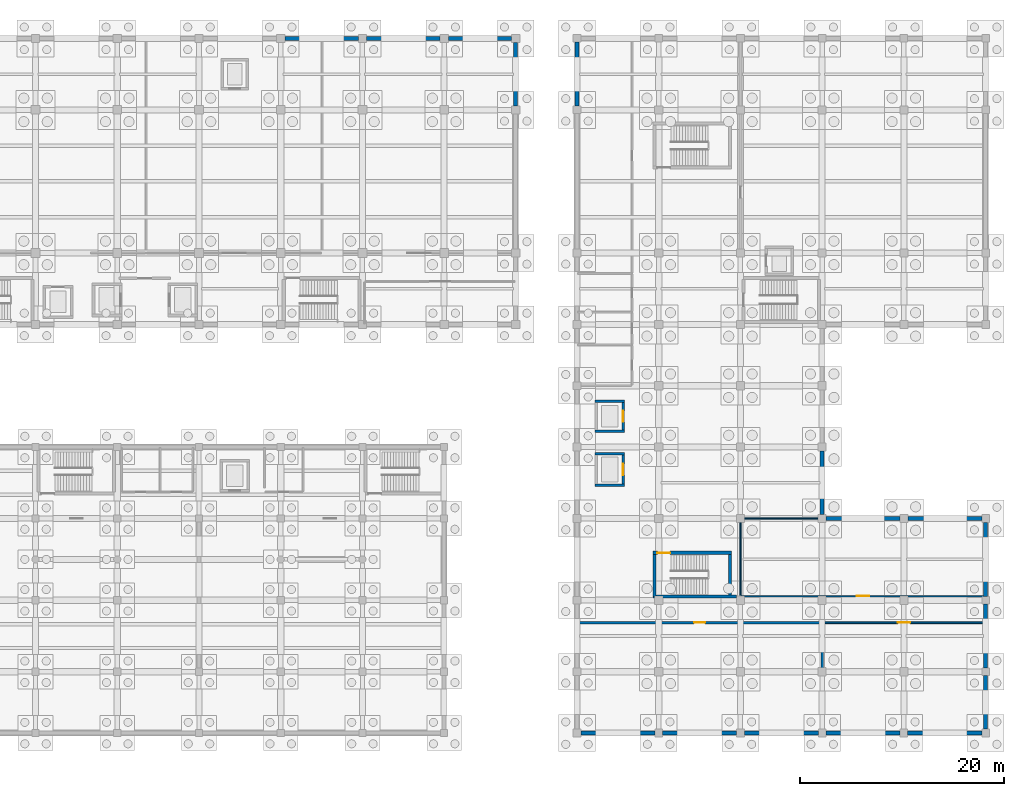
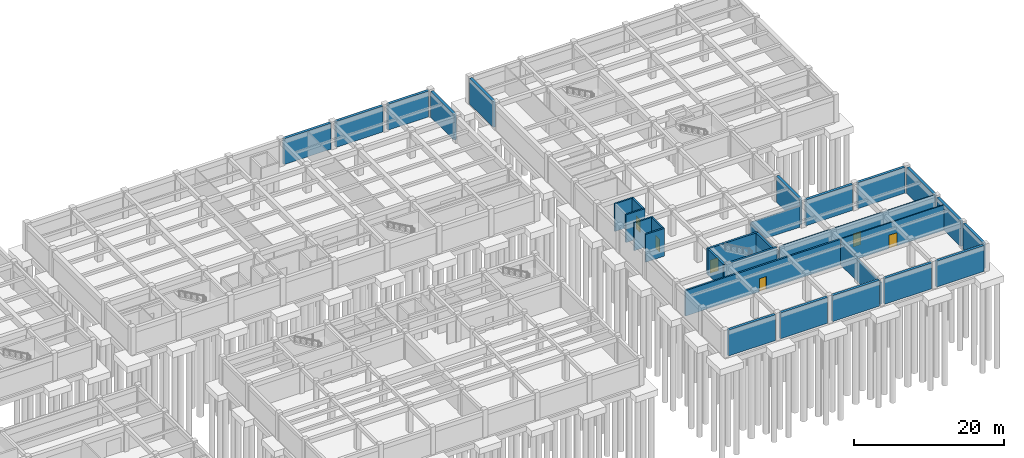
# One storey, part 20 of 28: 32 walls, 6 doors, 6 openings.
"""IFC4 building model written with IfcOpenShell, lengths in metres."""

from ifc_helpers import new_model, si_unit, direction, frame, frame_2d, origin, place, context, subcontext, project, spatial, rectangle, extrude, material, layer, layer_set, type_object, element, fill, save


model = new_model("IFC4")

# Units and contexts
model_context = context("Model", 3, precision=1e-05, world=origin(), true_north=direction((0.0, 1.0)))
body_context = subcontext(model_context, "Body", "Model", "MODEL_VIEW")
ifc_project = project(units=[si_unit("LENGTHUNIT", "METRE"), si_unit("AREAUNIT", "SQUARE_METRE"), si_unit("VOLUMEUNIT", "CUBIC_METRE"), si_unit("PLANEANGLEUNIT", "RADIAN"), si_unit("MASSUNIT", "GRAM", prefix="KILO")], contexts=[model_context])

# Site, building, storey
site_placement = place(None, origin())
site = spatial("IfcSite", under=ifc_project, at=site_placement, CompositionType="ELEMENT")
building_placement = place(site_placement, origin())
building = spatial("IfcBuilding", under=site, at=building_placement, Name="Naurynzar Civic Courthouse", CompositionType="ELEMENT")
storey_placement = place(building_placement, frame((0.0, 0.0, -4.5)))
storey = spatial("IfcBuildingStorey", under=building, at=storey_placement, Name="B01", CompositionType="ELEMENT", Elevation=-4.5)

# Wall, opening, door
ifc_material_1 = material(Name="Concrete C40/50", Category="concrete")
ifc_layer_1 = layer(ifc_material_1, 0.300048828125)
ifc_layer_set_1 = layer_set([ifc_layer_1], Name="WL-CORE-300")
wall_type_1 = type_object("IfcWallType", Name="WL-CORE-300", PredefinedType="SHEAR", material=ifc_layer_set_1)
wall_1_placement = place(storey_placement, frame((145.14990234375, 21.64990234375, 0.0), z_axis=(0.0, 0.0, 1.0), x_axis=(-1.0, 0.0, 0.0)))
wall_1 = element("IfcWall", 1, at=wall_1_placement, inside=storey, type_object=wall_type_1, Name="Stair ST-V5A enclosure wall north B01", PredefinedType="SHEAR", context=body_context, shape_type="SweptSolid", body=[
    extrude(rectangle(XDim=7.699951171875, YDim=0.300048828125, at=frame_2d((3.85009765625, 0.0))), origin(), (0.0, 0.0, 1.0), 4.199951171875),
])
opening_1_placement = place(wall_1_placement, frame((6.02490234375, 0.0, 0.0)))
opening_1 = element("IfcOpeningElement", 2, at=opening_1_placement, cuts=wall_1, Name="Opening SD-059", PredefinedType="OPENING", context=body_context, shape_type="SweptSolid", body=[
    extrude(rectangle(XDim=1.25, YDim=2.14990234375, at=frame_2d((0.625, 1.074951171875))), frame((0.0, 0.159912109375, 0.0), z_axis=(0.0, -1.0, 0.0), x_axis=(1.0, 0.0, 0.0)), (0.0, 0.0, 1.0), 0.320068359375),
])
ifc_material_2 = material(Name="Powder-Coated Galvanised Steel", Category="steel")
door_type_1 = type_object("IfcDoorType", Name="DR-STAIR-1250x2150", OperationType="NOTDEFINED", PredefinedType="DOOR", material=ifc_material_2)
door_1_placement = place(opening_1_placement, origin())
door_1 = element("IfcDoor", 3, at=door_1_placement, inside=storey, type_object=door_type_1, Name="Stair ST-V5A fire door B01", OperationType="SINGLE_SWING_LEFT", OverallHeight=2.14990234375, OverallWidth=1.25, PredefinedType="DOOR", context=body_context, shape_type="SweptSolid", body=[
    extrude(rectangle(XDim=1.25, YDim=2.14990234375, at=frame_2d((0.625, 1.074951171875))), frame((0.0, 0.02490234375, 0.0), z_axis=(0.0, -1.0, 0.0), x_axis=(1.0, 0.0, 0.0)), (0.0, 0.0, 1.0), 0.050048828125),
])
fill(opening_1, door_1)

# Walls
wall_2_placement = place(storey_placement, frame((137.449951171875, 17.35009765625, 0.0), z_axis=(0.0, 0.0, 1.0), x_axis=(1.0, 0.0, 0.0)))
element("IfcWall", 4, at=wall_2_placement, inside=storey, type_object=wall_type_1, Name="Stair ST-V5A enclosure wall south B01", PredefinedType="SHEAR", context=body_context, shape_type="SweptSolid", body=[
    extrude(rectangle(XDim=8.170166015625, YDim=0.300048828125, at=frame_2d((4.0849609375, 0.0))), origin(), (0.0, 0.0, 1.0), 4.199951171875),
])
wall_3_placement = place(storey_placement, frame((137.60009765625, 21.4951171875, 0.0), z_axis=(0.0, 0.0, 1.0), x_axis=(0.0, -1.0, 0.0)))
element("IfcWall", 5, at=wall_3_placement, inside=storey, type_object=wall_type_1, Name="Stair ST-V5A enclosure wall west B01", PredefinedType="SHEAR", context=body_context, shape_type="SweptSolid", body=[
    extrude(rectangle(XDim=4.115234375, YDim=0.300048828125, at=frame_2d((2.0576171875, 0.0))), origin(), (0.0, 0.0, 1.0), 4.199951171875),
])
wall_4_placement = place(storey_placement, frame((145.0, 17.5048828125, 0.0), z_axis=(0.0, 0.0, 1.0), x_axis=(0.0, 1.0, 0.0)))
element("IfcWall", 6, at=wall_4_placement, inside=storey, type_object=wall_type_1, Name="Stair ST-V5A enclosure wall east B01", PredefinedType="SHEAR", context=body_context, shape_type="SweptSolid", body=[
    extrude(rectangle(XDim=3.990234375, YDim=0.300048828125, at=frame_2d((1.9951171875, 0.0))), origin(), (0.0, 0.0, 1.0), 4.199951171875),
])

# Wall, opening, door
ifc_material_3 = material(Name="Concrete C40/50", Category="concrete")
ifc_layer_2 = layer(ifc_material_3, 0.260009765625)
ifc_layer_set_2 = layer_set([ifc_layer_2], Name="WL-CUS-260")
wall_type_2 = type_object("IfcWallType", Name="WL-CUS-260", PredefinedType="SOLIDWALL", material=ifc_layer_set_2)
wall_5_placement = place(storey_placement, frame((130.080078125, 14.800048828125, 0.0), z_axis=(0.0, 0.0, 1.0), x_axis=(1.0, 0.0, 0.0)))
wall_5 = element("IfcWall", 7, at=wall_5_placement, inside=storey, type_object=wall_type_2, Name="V5 interior partition B01.1", PredefinedType="SOLIDWALL", context=body_context, shape_type="SweptSolid", body=[
    extrude(rectangle(XDim=23.83984375, YDim=0.260009765625, at=frame_2d((11.919921875, 0.0))), origin(), (0.0, 0.0, 1.0), 4.139892578125),
])
opening_2_placement = place(wall_5_placement, frame((11.3798828125, 0.0, 0.0)))
opening_2 = element("IfcOpeningElement", 8, at=opening_2_placement, cuts=wall_5, Name="Opening D-271", PredefinedType="OPENING", context=body_context, shape_type="SweptSolid", body=[
    extrude(rectangle(XDim=1.080078125, YDim=2.10009765625, at=frame_2d((0.5400390625, 1.050048828125))), frame((0.0, 0.139892578125, 0.0), z_axis=(0.0, -1.0, 0.0), x_axis=(1.0, 0.0, 0.0)), (0.0, 0.0, 1.0), 0.280029296875),
])
ifc_material_4 = material(Name="Powder-Coated Galvanised Steel", Category="steel")
door_type_2 = type_object("IfcDoorType", Name="DR-CUS-CELL-1080x2100", OperationType="NOTDEFINED", PredefinedType="DOOR", material=ifc_material_4)
door_2_placement = place(opening_2_placement, origin())
door_2 = element("IfcDoor", 9, at=door_2_placement, inside=storey, type_object=door_type_2, Name="Interior door D-271 (Custody Suite Holding Cells B01)", OperationType="SINGLE_SWING_LEFT", OverallHeight=2.10009765625, OverallWidth=1.080078125, PredefinedType="DOOR", context=body_context, shape_type="SweptSolid", body=[
    extrude(rectangle(XDim=1.080078125, YDim=2.10009765625, at=frame_2d((0.5400390625, 1.050048828125))), frame((0.0, 0.02490234375, 0.0), z_axis=(0.0, -1.0, 0.0), x_axis=(1.0, 0.0, 0.0)), (0.0, 0.0, 1.0), 0.050048828125),
])
fill(opening_2, door_2)

# Wall
wall_6_placement = place(storey_placement, frame((154.0, 4.080078125, 0.0), z_axis=(0.0, 0.0, 1.0), x_axis=(0.0, 1.0, 0.0)))
element("IfcWall", 10, at=wall_6_placement, inside=storey, type_object=wall_type_2, Name="V5 interior partition B01.67", PredefinedType="SOLIDWALL", context=body_context, shape_type="SweptSolid", body=[
    extrude(rectangle(XDim=10.639892578125, YDim=0.260009765625, at=frame_2d((5.31982421875, 0.0))), origin(), (0.0, 0.0, 1.0), 3.550048828125),
])

# Wall, opening, door
ifc_material_5 = material(Name="Fire-Rated Corridor Gypsum Partition")
ifc_layer_3 = layer(ifc_material_5, 0.14990234375)
ifc_layer_set_3 = layer_set([ifc_layer_3], Name="WL-PART-CORR-150")
wall_type_3 = type_object("IfcWallType", Name="WL-PART-CORR-150", PredefinedType="PARTITIONING", material=ifc_layer_set_3)
wall_7_placement = place(storey_placement, frame((154.080078125, 14.800048828125, 0.0), z_axis=(0.0, 0.0, 1.0), x_axis=(1.0, 0.0, 0.0)))
wall_7 = element("IfcWall", 11, at=wall_7_placement, inside=storey, type_object=wall_type_3, Name="V5 interior partition B01.2", PredefinedType="PARTITIONING", context=body_context, shape_type="SweptSolid", body=[
    extrude(rectangle(XDim=15.83984375, YDim=0.14990234375, at=frame_2d((7.919921875, 0.0))), origin(), (0.0, 0.0, 1.0), 4.139892578125),
])
opening_3_placement = place(wall_7_placement, frame((7.320068359375, 0.0, 0.0)))
opening_3 = element("IfcOpeningElement", 12, at=opening_3_placement, cuts=wall_7, Name="Opening D-272", PredefinedType="OPENING", context=body_context, shape_type="SweptSolid", body=[
    extrude(rectangle(XDim=1.199951171875, YDim=2.14990234375, at=frame_2d((0.60009765625, 1.074951171875))), frame((0.0, 0.0849609375, 0.0), z_axis=(0.0, -1.0, 0.0), x_axis=(1.0, 0.0, 0.0)), (0.0, 0.0, 1.0), 0.169921875),
])
ifc_material_6 = material(Name="Powder-Coated Galvanised Steel", Category="steel")
door_type_3 = type_object("IfcDoorType", Name="DR-ARCH-1200x2150", OperationType="NOTDEFINED", PredefinedType="DOOR", material=ifc_material_6)
door_3_placement = place(opening_3_placement, origin())
door_3 = element("IfcDoor", 13, at=door_3_placement, inside=storey, type_object=door_type_3, Name="Interior door D-272 (Forensic Evidence Vault B01)", OperationType="SINGLE_SWING_RIGHT", OverallHeight=2.14990234375, OverallWidth=1.199951171875, PredefinedType="DOOR", context=body_context, shape_type="SweptSolid", body=[
    extrude(rectangle(XDim=1.199951171875, YDim=2.14990234375, at=frame_2d((0.60009765625, 1.074951171875))), frame((0.0, 0.02490234375, 0.0), z_axis=(0.0, -1.0, 0.0), x_axis=(1.0, 0.0, 0.0)), (0.0, 0.0, 1.0), 0.050048828125),
])
fill(opening_3, door_3)

ifc_material_7 = material(Name="Metal-Stud Gypsum Partition")
ifc_layer_4 = layer(ifc_material_7, 0.125)
ifc_layer_set_4 = layer_set([ifc_layer_4], Name="WL-PART-STD-125")
wall_type_4 = type_object("IfcWallType", Name="WL-PART-STD-125", PredefinedType="PARTITIONING", material=ifc_layer_set_4)
wall_8_placement = place(storey_placement, frame((146.080078125, 17.39990234375, 0.0), z_axis=(0.0, 0.0, 1.0), x_axis=(1.0, 0.0, 0.0)))
wall_8 = element("IfcWall", 14, at=wall_8_placement, inside=storey, type_object=wall_type_4, Name="V5 interior partition B01.3", PredefinedType="PARTITIONING", context=body_context, shape_type="SweptSolid", body=[
    extrude(rectangle(XDim=23.83984375, YDim=0.125, at=frame_2d((11.919921875, 0.0))), origin(), (0.0, 0.0, 1.0), 4.139892578125),
])
opening_4_placement = place(wall_8_placement, frame((11.320068359375, 0.0, 0.0)))
opening_4 = element("IfcOpeningElement", 15, at=opening_4_placement, cuts=wall_8, Name="Opening D-273", PredefinedType="OPENING", context=body_context, shape_type="SweptSolid", body=[
    extrude(rectangle(XDim=1.199951171875, YDim=2.14990234375, at=frame_2d((0.60009765625, 1.074951171875))), frame((0.0, 0.072509765625, 0.0), z_axis=(0.0, -1.0, 0.0), x_axis=(1.0, 0.0, 0.0)), (0.0, 0.0, 1.0), 0.14501953125),
])
door_4_placement = place(opening_4_placement, origin())
door_4 = element("IfcDoor", 16, at=door_4_placement, inside=storey, type_object=door_type_3, Name="Interior door D-273 (Secure Armoury Store B01)", OperationType="SINGLE_SWING_LEFT", OverallHeight=2.14990234375, OverallWidth=1.199951171875, PredefinedType="DOOR", context=body_context, shape_type="SweptSolid", body=[
    extrude(rectangle(XDim=1.199951171875, YDim=2.14990234375, at=frame_2d((0.60009765625, 1.074951171875))), frame((0.0, 0.02490234375, 0.0), z_axis=(0.0, -1.0, 0.0), x_axis=(1.0, 0.0, 0.0)), (0.0, 0.0, 1.0), 0.050048828125),
])
fill(opening_4, door_4)

# Walls
wall_9_placement = place(storey_placement, frame((146.080078125, 25.0, 0.0), z_axis=(0.0, 0.0, 1.0), x_axis=(1.0, 0.0, 0.0)))
element("IfcWall", 17, at=wall_9_placement, inside=storey, type_object=wall_type_4, Name="V5 interior partition B01.11", PredefinedType="PARTITIONING", context=body_context, shape_type="SweptSolid", body=[
    extrude(rectangle(XDim=7.52001953125, YDim=0.125, at=frame_2d((3.760009765625, 0.0))), origin(), (0.0, 0.0, 1.0), 3.449951171875),
])
wall_10_placement = place(storey_placement, frame((146.0, 17.47998046875, 0.0), z_axis=(0.0, 0.0, 1.0), x_axis=(0.0, 1.0, 0.0)))
element("IfcWall", 18, at=wall_10_placement, inside=storey, type_object=wall_type_4, Name="V5 interior partition B01.65", PredefinedType="PARTITIONING", context=body_context, shape_type="SweptSolid", body=[
    extrude(rectangle(XDim=7.43994140625, YDim=0.125, at=frame_2d((3.719970703125, 0.0))), origin(), (0.0, 0.0, 1.0), 3.300048828125),
])
ifc_material_8 = material(Name="Concrete C40/50", Category="concrete")
ifc_layer_5 = layer(ifc_material_8, 0.39990234375)
ifc_layer_set_5 = layer_set([ifc_layer_5], Name="WL-RET-400")
wall_type_5 = type_object("IfcWallType", Name="WL-RET-400", PredefinedType="STANDARD", material=ifc_layer_set_5)
for number, where, z_axis, x_axis, name in (
    (19, (101.39990234375, 72.0, 0.0), (0.0, 0.0, 1.0), (1.0, 0.0, 0.0), "V2 basement retaining wall north 6"),
    (20, (109.39990234375, 72.0, 0.0), (0.0, 0.0, 1.0), (1.0, 0.0, 0.0), "V2 basement retaining wall north 7"),
):
    element("IfcWall", number, at=place(storey_placement, frame(where, z_axis=z_axis, x_axis=x_axis)), inside=storey, type_object=wall_type_5, Name=name, PredefinedType="STANDARD", context=body_context, shape_type="SweptSolid", body=[
        extrude(rectangle(XDim=7.2001953125, YDim=0.39990234375, at=frame_2d((3.60009765625, 0.0))), origin(), (0.0, 0.0, 1.0), 4.199951171875),
    ])
for number, where, z_axis, x_axis, name in (
    (21, (117.39990234375, 72.0, 0.0), (0.0, 0.0, 1.0), (1.0, 0.0, 0.0), "V2 basement retaining wall north 8"),
    (22, (124.0, 71.60009765625, 0.0), (0.0, 0.0, 1.0), (0.0, -1.0, 0.0), "V2 basement retaining wall east 1"),
):
    element("IfcWall", number, at=place(storey_placement, frame(where, z_axis=z_axis, x_axis=x_axis)), inside=storey, type_object=wall_type_5, Name=name, PredefinedType="STANDARD", context=body_context, shape_type="SweptSolid", body=[
        extrude(rectangle(XDim=6.2001953125, YDim=0.39990234375, at=frame_2d((3.10009765625, 0.0))), origin(), (0.0, 0.0, 1.0), 4.199951171875),
    ])
wall_11_placement = place(storey_placement, frame((130.0, 65.375, 0.0), z_axis=(0.0, 0.0, 1.0), x_axis=(0.0, 1.0, 0.0)))
element("IfcWall", 23, at=wall_11_placement, inside=storey, type_object=wall_type_5, Name="V5 basement retaining wall west 9", PredefinedType="STANDARD", context=body_context, shape_type="SweptSolid", body=[
    extrude(rectangle(XDim=6.25, YDim=0.39990234375, at=frame_2d((3.125, 0.0))), origin(), (0.0, 0.0, 1.0), 4.199951171875),
])
wall_12_placement = place(storey_placement, frame((154.0, 31.60009765625, 0.0), z_axis=(0.0, 0.0, 1.0), x_axis=(0.0, -1.0, 0.0)))
element("IfcWall", 24, at=wall_12_placement, inside=storey, type_object=wall_type_5, Name="V5 basement retaining wall notch_w 3", PredefinedType="STANDARD", context=body_context, shape_type="SweptSolid", body=[
    extrude(rectangle(XDim=6.2001953125, YDim=0.39990234375, at=frame_2d((3.10009765625, 0.0))), origin(), (0.0, 0.0, 1.0), 4.199951171875),
])
wall_13_placement = place(storey_placement, frame((154.39990234375, 25.0, 0.0), z_axis=(0.0, 0.0, 1.0), x_axis=(1.0, 0.0, 0.0)))
element("IfcWall", 25, at=wall_13_placement, inside=storey, type_object=wall_type_5, Name="V5 basement retaining wall notch_s 1", PredefinedType="STANDARD", context=body_context, shape_type="SweptSolid", body=[
    extrude(rectangle(XDim=7.2001953125, YDim=0.39990234375, at=frame_2d((3.60009765625, 0.0))), origin(), (0.0, 0.0, 1.0), 4.199951171875),
])
wall_14_placement = place(storey_placement, frame((162.39990234375, 25.0, 0.0), z_axis=(0.0, 0.0, 1.0), x_axis=(1.0, 0.0, 0.0)))
element("IfcWall", 26, at=wall_14_placement, inside=storey, type_object=wall_type_5, Name="V5 basement retaining wall notch_s 2", PredefinedType="STANDARD", context=body_context, shape_type="SweptSolid", body=[
    extrude(rectangle(XDim=7.22509765625, YDim=0.39990234375, at=frame_2d((3.612548828125, 0.0))), origin(), (0.0, 0.0, 1.0), 4.199951171875),
])
wall_15_placement = place(storey_placement, frame((170.0, 24.625, 0.0), z_axis=(0.0, 0.0, 1.0), x_axis=(0.0, -1.0, 0.0)))
element("IfcWall", 27, at=wall_15_placement, inside=storey, type_object=wall_type_5, Name="V5 basement retaining wall east_south 1", PredefinedType="STANDARD", context=body_context, shape_type="SweptSolid", body=[
    extrude(rectangle(XDim=7.25, YDim=0.39990234375, at=frame_2d((3.625, 0.0))), origin(), (0.0, 0.0, 1.0), 4.199951171875),
])
wall_16_placement = place(storey_placement, frame((170.0, 16.625, 0.0), z_axis=(0.0, 0.0, 1.0), x_axis=(0.0, -1.0, 0.0)))
element("IfcWall", 28, at=wall_16_placement, inside=storey, type_object=wall_type_5, Name="V5 basement retaining wall east_south 2", PredefinedType="STANDARD", context=body_context, shape_type="SweptSolid", body=[
    extrude(rectangle(XDim=6.25, YDim=0.39990234375, at=frame_2d((3.125, 0.0))), origin(), (0.0, 0.0, 1.0), 4.199951171875),
])
wall_17_placement = place(storey_placement, frame((170.0, 9.625, 0.0), z_axis=(0.0, 0.0, 1.0), x_axis=(0.0, -1.0, 0.0)))
element("IfcWall", 29, at=wall_17_placement, inside=storey, type_object=wall_type_5, Name="V5 basement retaining wall east_south 3", PredefinedType="STANDARD", context=body_context, shape_type="SweptSolid", body=[
    extrude(rectangle(XDim=5.25, YDim=0.39990234375, at=frame_2d((2.625, 0.0))), origin(), (0.0, 0.0, 1.0), 4.199951171875),
])
for number, where, z_axis, x_axis, name in (
    (30, (169.625, 4.0, 0.0), (0.0, 0.0, 1.0), (-1.0, 0.0, 0.0), "V5 basement retaining wall south 1"),
    (31, (161.625, 4.0, 0.0), (0.0, 0.0, 1.0), (-1.0, 0.0, 0.0), "V5 basement retaining wall south 2"),
    (32, (153.625, 4.0, 0.0), (0.0, 0.0, 1.0), (-1.0, 0.0, 0.0), "V5 basement retaining wall south 3"),
    (33, (145.625, 4.0, 0.0), (0.0, 0.0, 1.0), (-1.0, 0.0, 0.0), "V5 basement retaining wall south 4"),
    (34, (137.625, 4.0, 0.0), (0.0, 0.0, 1.0), (-1.0, 0.0, 0.0), "V5 basement retaining wall south 5"),
):
    element("IfcWall", number, at=place(storey_placement, frame(where, z_axis=z_axis, x_axis=x_axis)), inside=storey, type_object=wall_type_5, Name=name, PredefinedType="STANDARD", context=body_context, shape_type="SweptSolid", body=[
        extrude(rectangle(XDim=7.25, YDim=0.39990234375, at=frame_2d((3.625, 0.0))), origin(), (0.0, 0.0, 1.0), 4.199951171875),
    ])
ifc_material_9 = material(Name="Concrete C40/50", Category="concrete")
ifc_layer_6 = layer(ifc_material_9, 0.25)
ifc_layer_set_6 = layer_set([ifc_layer_6], Name="WL-SHAFT-250")
wall_type_6 = type_object("IfcWallType", Name="WL-SHAFT-250", PredefinedType="SHEAR", material=ifc_layer_set_6)
for number, where, z_axis, x_axis, name in (
    (35, (131.75, 33.52490234375, 0.0), (0.0, 0.0, 1.0), (1.0, 0.0, 0.0), "Lift LP-05 shaft wall south B01"),
    (36, (134.64990234375, 36.47509765625, 0.0), (0.0, 0.0, 1.0), (-1.0, 0.0, 0.0), "Lift LP-05 shaft wall north B01"),
):
    element("IfcWall", number, at=place(storey_placement, frame(where, z_axis=z_axis, x_axis=x_axis)), inside=storey, type_object=wall_type_6, Name=name, PredefinedType="SHEAR", context=body_context, shape_type="SweptSolid", body=[
        extrude(rectangle(XDim=2.89990234375, YDim=0.25, at=frame_2d((1.449951171875, 0.0))), origin(), (0.0, 0.0, 1.0), 4.5),
    ])

# Wall, opening, door
wall_18_placement = place(storey_placement, frame((134.52490234375, 33.655029296875, 0.0), z_axis=(0.0, 0.0, 1.0), x_axis=(0.0, 1.0, 0.0)))
wall_18 = element("IfcWall", 37, at=wall_18_placement, inside=storey, type_object=wall_type_6, Name="Lift LP-05 shaft wall east B01", PredefinedType="SHEAR", context=body_context, shape_type="SweptSolid", body=[
    extrude(rectangle(XDim=2.68994140625, YDim=0.25, at=frame_2d((1.344970703125, 0.0))), origin(), (0.0, 0.0, 1.0), 4.5),
])
opening_5_placement = place(wall_18_placement, frame((0.794921875, 0.0, 0.0)))
opening_5 = element("IfcOpeningElement", 38, at=opening_5_placement, cuts=wall_18, Name="Opening LD-068", PredefinedType="OPENING", context=body_context, shape_type="SweptSolid", body=[
    extrude(rectangle(XDim=1.10009765625, YDim=2.14990234375, at=frame_2d((0.550048828125, 1.074951171875))), frame((0.0, 0.135009765625, 0.0), z_axis=(0.0, -1.0, 0.0), x_axis=(1.0, 0.0, 0.0)), (0.0, 0.0, 1.0), 0.27001953125),
])
ifc_material_10 = material(Name="Brushed Stainless Steel 304", Category="steel")
door_type_4 = type_object("IfcDoorType", Name="DR-LIFT-SLIDE-1100x2150", OperationType="DOUBLE_DOOR_SLIDING", PredefinedType="DOOR", material=ifc_material_10)
door_5_placement = place(opening_5_placement, origin())
door_5 = element("IfcDoor", 39, at=door_5_placement, inside=storey, type_object=door_type_4, Name="Lift LP-05 sliding landing door B01", OperationType="DOUBLE_DOOR_SLIDING", OverallHeight=2.14990234375, OverallWidth=1.10009765625, PredefinedType="DOOR", context=body_context, shape_type="SweptSolid", body=[
    extrude(rectangle(XDim=1.10009765625, YDim=2.14990234375, at=frame_2d((0.550048828125, 1.074951171875))), frame((0.0, 0.02490234375, 0.0), z_axis=(0.0, -1.0, 0.0), x_axis=(1.0, 0.0, 0.0)), (0.0, 0.0, 1.0), 0.050048828125),
])
fill(opening_5, door_5)

# Walls
for number, where, z_axis, x_axis, name in (
    (40, (131.75, 28.27490234375, 0.0), (0.0, 0.0, 1.0), (1.0, 0.0, 0.0), "Lift LP-06 shaft wall south B01"),
    (41, (134.64990234375, 31.324951171875, 0.0), (0.0, 0.0, 1.0), (-1.0, 0.0, 0.0), "Lift LP-06 shaft wall north B01"),
):
    element("IfcWall", number, at=place(storey_placement, frame(where, z_axis=z_axis, x_axis=x_axis)), inside=storey, type_object=wall_type_6, Name=name, PredefinedType="SHEAR", context=body_context, shape_type="SweptSolid", body=[
        extrude(rectangle(XDim=2.89990234375, YDim=0.25, at=frame_2d((1.449951171875, 0.0))), origin(), (0.0, 0.0, 1.0), 4.5),
    ])

# Wall, opening, door
wall_19_placement = place(storey_placement, frame((134.52490234375, 28.405029296875, 0.0), z_axis=(0.0, 0.0, 1.0), x_axis=(0.0, 1.0, 0.0)))
wall_19 = element("IfcWall", 42, at=wall_19_placement, inside=storey, type_object=wall_type_6, Name="Lift LP-06 shaft wall east B01", PredefinedType="SHEAR", context=body_context, shape_type="SweptSolid", body=[
    extrude(rectangle(XDim=2.7900390625, YDim=0.25, at=frame_2d((1.39501953125, 0.0))), origin(), (0.0, 0.0, 1.0), 4.5),
])
opening_6_placement = place(wall_19_placement, frame((0.844970703125, 0.0, 0.0)))
opening_6 = element("IfcOpeningElement", 43, at=opening_6_placement, cuts=wall_19, Name="Opening LD-077", PredefinedType="OPENING", context=body_context, shape_type="SweptSolid", body=[
    extrude(rectangle(XDim=1.10009765625, YDim=2.14990234375, at=frame_2d((0.550048828125, 1.074951171875))), frame((0.0, 0.135009765625, 0.0), z_axis=(0.0, -1.0, 0.0), x_axis=(1.0, 0.0, 0.0)), (0.0, 0.0, 1.0), 0.27001953125),
])
door_6_placement = place(opening_6_placement, origin())
door_6 = element("IfcDoor", 44, at=door_6_placement, inside=storey, type_object=door_type_4, Name="Lift LP-06 sliding landing door B01", OperationType="DOUBLE_DOOR_SLIDING", OverallHeight=2.14990234375, OverallWidth=1.10009765625, PredefinedType="DOOR", context=body_context, shape_type="SweptSolid", body=[
    extrude(rectangle(XDim=1.10009765625, YDim=2.14990234375, at=frame_2d((0.550048828125, 1.074951171875))), frame((0.0, 0.02490234375, 0.0), z_axis=(0.0, -1.0, 0.0), x_axis=(1.0, 0.0, 0.0)), (0.0, 0.0, 1.0), 0.050048828125),
])
fill(opening_6, door_6)

save(model, "model.ifc")
